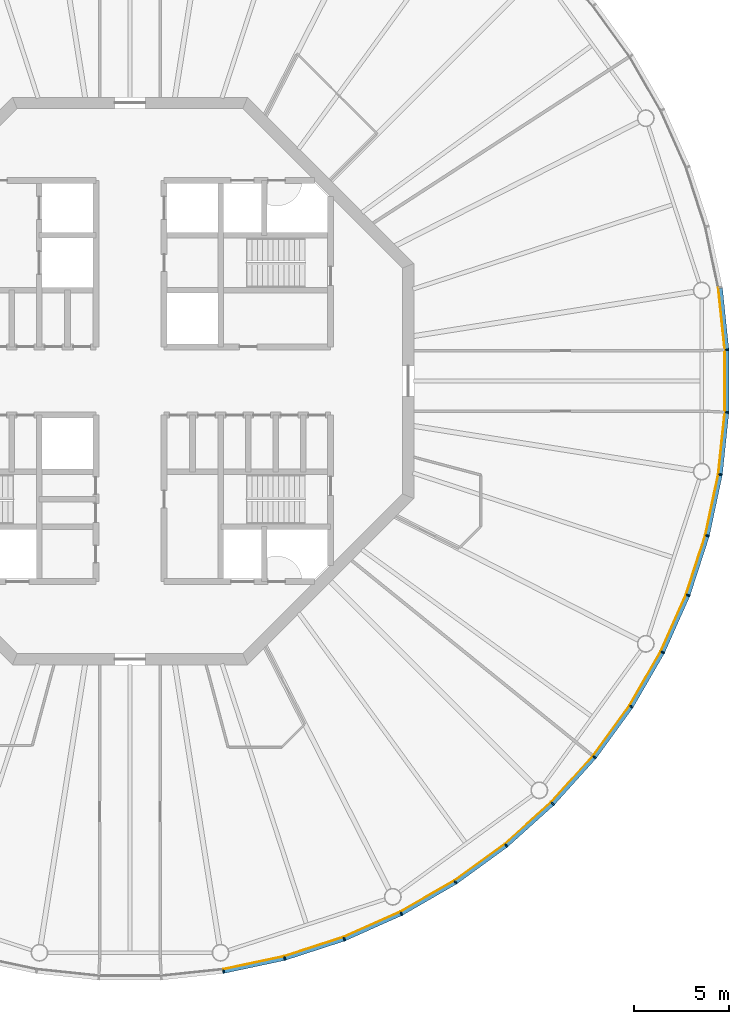
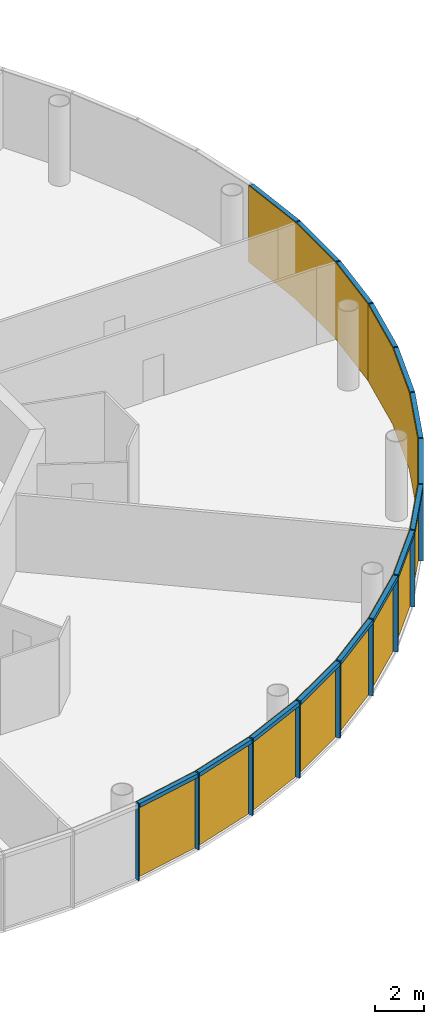
# One storey, part 9 of 13: 30 members, 5 curtain walls.
"""IFC4 building model written with IfcOpenShell, lengths in metres."""

from ifc_helpers import new_model, si_unit, direction, frame, origin, origin_2d, place, context, subcontext, project, spatial, polyline, rectangle, outline, extrude, material, layer, layer_set, material_profile, profile_set, type_object, element, aggregate, save


model = new_model("IFC4")

# Units and contexts
model_context = context("Model", 3, precision=1e-05, world=origin(), true_north=direction((0.0, 1.0)))
body_context = subcontext(model_context, "Body", "Model", "MODEL_VIEW")
ifc_project = project(units=[si_unit("LENGTHUNIT", "METRE"), si_unit("AREAUNIT", "SQUARE_METRE"), si_unit("VOLUMEUNIT", "CUBIC_METRE"), si_unit("PLANEANGLEUNIT", "RADIAN"), si_unit("MASSUNIT", "GRAM", prefix="KILO")], contexts=[model_context])

# Member
ifc_material_1 = material(Name="Anodised aluminium", Category="aluminium")
ifc_material_profile_1 = material_profile(ifc_material_1, rectangle(XDim=0.070068359375, YDim=0.205078125, at=origin_2d()), Name="Mullion 70 x 205 mm anodised aluminium")
ifc_profile_set_1 = profile_set([ifc_material_profile_1], Name="Anodised aluminium")
member_type_1 = type_object("IfcMemberType", Name="Mullion 70 x 205 mm anodised aluminium", PredefinedType="MULLION", material=ifc_profile_set_1)
site_placement = place(None, origin())
building_placement = place(site_placement, origin())
storey_placement = place(building_placement, frame((0.0, 0.0, 360.0)))
member_1_placement = place(storey_placement, frame((94.943603515625, 48.78662109375, 0.0), z_axis=(0.0, 0.0, 1.0), x_axis=(0.987688340595, 0.15643446504, 0.0)))
member_1 = element("IfcMember", 1, at=member_1_placement, type_object=member_type_1, Name="MULLION L83-45", PredefinedType="MULLION", context=body_context, shape_type="SweptSolid", body=[
    extrude(rectangle(XDim=0.070068359375, YDim=0.205078125, at=origin_2d()), origin(), (0.0, 0.0, 1.0), 3.85009765625),
])

member_2_placement = place(storey_placement, frame((98.179443359375, 49.474365234375, 0.0), z_axis=(0.0, 0.0, 1.0), x_axis=(0.965925826289, 0.258819045103, 0.0)))
member_2 = element("IfcMember", 2, at=member_2_placement, type_object=member_type_1, Name="MULLION L83-46", PredefinedType="MULLION", context=body_context, shape_type="SweptSolid", body=[
    extrude(rectangle(XDim=0.070068359375, YDim=0.205078125, at=origin_2d()), origin(), (0.0, 0.0, 1.0), 3.85009765625),
])

member_3_placement = place(storey_placement, frame((101.325439453125, 50.49658203125, 0.0), z_axis=(0.0, 0.0, 1.0), x_axis=(0.933580426497, 0.358367949545, 0.0)))
member_3 = element("IfcMember", 3, at=member_3_placement, type_object=member_type_1, Name="MULLION L83-47", PredefinedType="MULLION", context=body_context, shape_type="SweptSolid", body=[
    extrude(rectangle(XDim=0.070068359375, YDim=0.205078125, at=origin_2d()), origin(), (0.0, 0.0, 1.0), 3.85009765625),
])

member_4_placement = place(storey_placement, frame((104.34716796875, 51.842041015625, 0.0), z_axis=(0.0, 0.0, 1.0), x_axis=(0.891006524188, 0.45399049974, 0.0)))
member_4 = element("IfcMember", 4, at=member_4_placement, type_object=member_type_1, Name="MULLION L83-48", PredefinedType="MULLION", context=body_context, shape_type="SweptSolid", body=[
    extrude(rectangle(XDim=0.070068359375, YDim=0.205078125, at=origin_2d()), origin(), (0.0, 0.0, 1.0), 3.85009765625),
])

member_5_placement = place(storey_placement, frame((107.2119140625, 53.495849609375, 0.0), z_axis=(0.0, 0.0, 1.0), x_axis=(0.838670567945, 0.544639035015, 0.0)))
member_5 = element("IfcMember", 5, at=member_5_placement, type_object=member_type_1, Name="MULLION L83-49", PredefinedType="MULLION", context=body_context, shape_type="SweptSolid", body=[
    extrude(rectangle(XDim=0.070068359375, YDim=0.205078125, at=origin_2d()), origin(), (0.0, 0.0, 1.0), 3.85009765625),
])

member_6_placement = place(storey_placement, frame((109.88818359375, 55.440185546875, 0.0), z_axis=(0.0, 0.0, 1.0), x_axis=(0.777145961457, 0.62932039105, 0.0)))
member_6 = element("IfcMember", 6, at=member_6_placement, type_object=member_type_1, Name="MULLION L83-50", PredefinedType="MULLION", context=body_context, shape_type="SweptSolid", body=[
    extrude(rectangle(XDim=0.070068359375, YDim=0.205078125, at=origin_2d()), origin(), (0.0, 0.0, 1.0), 3.85009765625),
])

member_7_placement = place(storey_placement, frame((112.346435546875, 57.653564453125, 0.0), z_axis=(0.0, 0.0, 1.0), x_axis=(0.707106781187, 0.707106781187, 0.0)))
member_7 = element("IfcMember", 7, at=member_7_placement, type_object=member_type_1, Name="MULLION L83-51", PredefinedType="MULLION", context=body_context, shape_type="SweptSolid", body=[
    extrude(rectangle(XDim=0.070068359375, YDim=0.205078125, at=origin_2d()), origin(), (0.0, 0.0, 1.0), 3.85009765625),
])

member_8_placement = place(storey_placement, frame((114.559814453125, 60.11181640625, 0.0), z_axis=(0.0, 0.0, 1.0), x_axis=(0.62932039105, 0.777145961457, 0.0)))
member_8 = element("IfcMember", 8, at=member_8_placement, type_object=member_type_1, Name="MULLION L83-52", PredefinedType="MULLION", context=body_context, shape_type="SweptSolid", body=[
    extrude(rectangle(XDim=0.070068359375, YDim=0.205078125, at=origin_2d()), origin(), (0.0, 0.0, 1.0), 3.85009765625),
])

member_9_placement = place(storey_placement, frame((116.504150390625, 62.7880859375, 0.0), z_axis=(0.0, 0.0, 1.0), x_axis=(0.544639035015, 0.838670567945, 0.0)))
member_9 = element("IfcMember", 9, at=member_9_placement, type_object=member_type_1, Name="MULLION L83-53", PredefinedType="MULLION", context=body_context, shape_type="SweptSolid", body=[
    extrude(rectangle(XDim=0.070068359375, YDim=0.205078125, at=origin_2d()), origin(), (0.0, 0.0, 1.0), 3.85009765625),
])

member_10_placement = place(storey_placement, frame((118.157958984375, 65.65283203125, 0.0), z_axis=(0.0, 0.0, 1.0), x_axis=(0.45399049974, 0.891006524188, 0.0)))
member_10 = element("IfcMember", 10, at=member_10_placement, type_object=member_type_1, Name="MULLION L83-54", PredefinedType="MULLION", context=body_context, shape_type="SweptSolid", body=[
    extrude(rectangle(XDim=0.070068359375, YDim=0.205078125, at=origin_2d()), origin(), (0.0, 0.0, 1.0), 3.85009765625),
])

member_11_placement = place(storey_placement, frame((119.50341796875, 68.674560546875, 0.0), z_axis=(0.0, 0.0, 1.0), x_axis=(0.358367949545, 0.933580426497, 0.0)))
member_11 = element("IfcMember", 11, at=member_11_placement, type_object=member_type_1, Name="MULLION L83-55", PredefinedType="MULLION", context=body_context, shape_type="SweptSolid", body=[
    extrude(rectangle(XDim=0.070068359375, YDim=0.205078125, at=origin_2d()), origin(), (0.0, 0.0, 1.0), 3.85009765625),
])

member_12_placement = place(storey_placement, frame((120.525634765625, 71.820556640625, 0.0), z_axis=(0.0, 0.0, 1.0), x_axis=(0.258819045103, 0.965925826289, 0.0)))
member_12 = element("IfcMember", 12, at=member_12_placement, type_object=member_type_1, Name="MULLION L83-56", PredefinedType="MULLION", context=body_context, shape_type="SweptSolid", body=[
    extrude(rectangle(XDim=0.070068359375, YDim=0.205078125, at=origin_2d()), origin(), (0.0, 0.0, 1.0), 3.85009765625),
])

member_13_placement = place(storey_placement, frame((121.21337890625, 75.056396484375, 0.0), z_axis=(0.0, 0.0, 1.0), x_axis=(0.15643446504, 0.987688340595, 0.0)))
member_13 = element("IfcMember", 13, at=member_13_placement, type_object=member_type_1, Name="MULLION L83-57", PredefinedType="MULLION", context=body_context, shape_type="SweptSolid", body=[
    extrude(rectangle(XDim=0.070068359375, YDim=0.205078125, at=origin_2d()), origin(), (0.0, 0.0, 1.0), 3.85009765625),
])

member_14_placement = place(storey_placement, frame((121.55908203125, 78.345947265625, 0.0), z_axis=(0.0, 0.0, 1.0), x_axis=(0.052335956243, 0.998629534755, 0.0)))
member_14 = element("IfcMember", 14, at=member_14_placement, type_object=member_type_1, Name="MULLION L83-58", PredefinedType="MULLION", context=body_context, shape_type="SweptSolid", body=[
    extrude(rectangle(XDim=0.070068359375, YDim=0.205078125, at=origin_2d()), origin(), (0.0, 0.0, 1.0), 3.85009765625),
])

member_15_placement = place(storey_placement, frame((121.55908203125, 81.654052734375, 0.0), z_axis=(0.0, 0.0, 1.0), x_axis=(-0.052335956243, 0.998629534755, 0.0)))
member_15 = element("IfcMember", 15, at=member_15_placement, type_object=member_type_1, Name="MULLION L83-59", PredefinedType="MULLION", context=body_context, shape_type="SweptSolid", body=[
    extrude(rectangle(XDim=0.070068359375, YDim=0.205078125, at=origin_2d()), origin(), (0.0, 0.0, 1.0), 3.85009765625),
])

ifc_material_2 = material(Name="Anodised aluminium", Category="aluminium")
ifc_material_profile_2 = material_profile(ifc_material_2, rectangle(XDim=0.205078125, YDim=0.195068359375, at=origin_2d()), Name="Transom 195 x 205 mm anodised aluminium")
ifc_profile_set_2 = profile_set([ifc_material_profile_2], Name="Anodised aluminium")
member_type_2 = type_object("IfcMemberType", Name="Transom 195 x 205 mm anodised aluminium", PredefinedType="USERDEFINED", material=ifc_profile_set_2)
member_16_placement = place(storey_placement, frame((94.983154296875, 48.794921875, 3.75244140625), z_axis=(0.978153082647, 0.207885898771, 0.0), x_axis=(-0.207885898771, 0.978153082647, 0.0)))
member_16 = element("IfcMember", 16, at=member_16_placement, type_object=member_type_2, Name="TRANSOM L83-45", ObjectType="TRANSOM", PredefinedType="USERDEFINED", context=body_context, shape_type="SweptSolid", body=[
    extrude(rectangle(XDim=0.205078125, YDim=0.195068359375, at=origin_2d()), origin(), (0.0, 0.0, 1.0), 3.227294921875),
])

member_17_placement = place(storey_placement, frame((98.2177734375, 49.486572265625, 3.75244140625), z_axis=(0.951046855117, 0.309046726844, 0.0), x_axis=(-0.309046726844, 0.951046855117, 0.0)))
member_17 = element("IfcMember", 17, at=member_17_placement, type_object=member_type_2, Name="TRANSOM L83-46", ObjectType="TRANSOM", PredefinedType="USERDEFINED", context=body_context, shape_type="SweptSolid", body=[
    extrude(rectangle(XDim=0.205078125, YDim=0.195068359375, at=origin_2d()), origin(), (0.0, 0.0, 1.0), 3.22705078125),
])

member_18_placement = place(storey_placement, frame((101.3623046875, 50.5126953125, 3.75244140625), z_axis=(0.913521178731, 0.406791170024, 0.0), x_axis=(-0.406791170024, 0.913521178731, 0.0)))
member_18 = element("IfcMember", 18, at=member_18_placement, type_object=member_type_2, Name="TRANSOM L83-47", ObjectType="TRANSOM", PredefinedType="USERDEFINED", context=body_context, shape_type="SweptSolid", body=[
    extrude(rectangle(XDim=0.205078125, YDim=0.195068359375, at=origin_2d()), origin(), (0.0, 0.0, 1.0), 3.22705078125),
])

member_19_placement = place(storey_placement, frame((104.38232421875, 51.862060546875, 3.75244140625), z_axis=(0.866023062494, 0.500004055213, 0.0), x_axis=(-0.500004055213, 0.866023062494, 0.0)))
member_19 = element("IfcMember", 19, at=member_19_placement, type_object=member_type_2, Name="TRANSOM L83-48", ObjectType="TRANSOM", PredefinedType="USERDEFINED", context=body_context, shape_type="SweptSolid", body=[
    extrude(rectangle(XDim=0.205078125, YDim=0.195068359375, at=origin_2d()), origin(), (0.0, 0.0, 1.0), 3.22705078125),
])

member_20_placement = place(storey_placement, frame((107.24462890625, 53.51953125, 3.75244140625), z_axis=(0.809004252048, 0.587802790201, 0.0), x_axis=(-0.587802790201, 0.809004252048, 0.0)))
member_20 = element("IfcMember", 20, at=member_20_placement, type_object=member_type_2, Name="TRANSOM L83-49", ObjectType="TRANSOM", PredefinedType="USERDEFINED", context=body_context, shape_type="SweptSolid", body=[
    extrude(rectangle(XDim=0.205078125, YDim=0.195068359375, at=origin_2d()), origin(), (0.0, 0.0, 1.0), 3.227294921875),
])

member_21_placement = place(storey_placement, frame((109.918212890625, 55.467041015625, 3.75244140625), z_axis=(0.743132370743, 0.669144438484, 0.0), x_axis=(-0.669144438484, 0.743132370743, 0.0)))
member_21 = element("IfcMember", 21, at=member_21_placement, type_object=member_type_2, Name="TRANSOM L83-50", ObjectType="TRANSOM", PredefinedType="USERDEFINED", context=body_context, shape_type="SweptSolid", body=[
    extrude(rectangle(XDim=0.205078125, YDim=0.195068359375, at=origin_2d()), origin(), (0.0, 0.0, 1.0), 3.22705078125),
])

member_22_placement = place(storey_placement, frame((112.37353515625, 57.68359375, 3.75244140625), z_axis=(0.669144438484, 0.743132370743, 0.0), x_axis=(-0.743132370743, 0.669144438484, 0.0)))
member_22 = element("IfcMember", 22, at=member_22_placement, type_object=member_type_2, Name="TRANSOM L83-51", ObjectType="TRANSOM", PredefinedType="USERDEFINED", context=body_context, shape_type="SweptSolid", body=[
    extrude(rectangle(XDim=0.205078125, YDim=0.195068359375, at=origin_2d()), origin(), (0.0, 0.0, 1.0), 3.22705078125),
])

member_23_placement = place(storey_placement, frame((114.58349609375, 60.14453125, 3.75244140625), z_axis=(0.587802790201, 0.809004252048, 0.0), x_axis=(-0.809004252048, 0.587802790201, 0.0)))
member_23 = element("IfcMember", 23, at=member_23_placement, type_object=member_type_2, Name="TRANSOM L83-52", ObjectType="TRANSOM", PredefinedType="USERDEFINED", context=body_context, shape_type="SweptSolid", body=[
    extrude(rectangle(XDim=0.205078125, YDim=0.195068359375, at=origin_2d()), origin(), (0.0, 0.0, 1.0), 3.227294921875),
])

member_24_placement = place(storey_placement, frame((116.5244140625, 62.822998046875, 3.75244140625), z_axis=(0.500004055213, 0.866023062494, 0.0), x_axis=(-0.866023062494, 0.500004055213, 0.0)))
member_24 = element("IfcMember", 24, at=member_24_placement, type_object=member_type_2, Name="TRANSOM L83-53", ObjectType="TRANSOM", PredefinedType="USERDEFINED", context=body_context, shape_type="SweptSolid", body=[
    extrude(rectangle(XDim=0.205078125, YDim=0.195068359375, at=origin_2d()), origin(), (0.0, 0.0, 1.0), 3.22705078125),
])

member_25_placement = place(storey_placement, frame((118.174560546875, 65.689697265625, 3.75244140625), z_axis=(0.406791170024, 0.913521178731, 0.0), x_axis=(-0.913521178731, 0.406791170024, 0.0)))
member_25 = element("IfcMember", 25, at=member_25_placement, type_object=member_type_2, Name="TRANSOM L83-54", ObjectType="TRANSOM", PredefinedType="USERDEFINED", context=body_context, shape_type="SweptSolid", body=[
    extrude(rectangle(XDim=0.205078125, YDim=0.195068359375, at=origin_2d()), origin(), (0.0, 0.0, 1.0), 3.22705078125),
])

member_26_placement = place(storey_placement, frame((119.51611328125, 68.713134765625, 3.75244140625), z_axis=(0.309046726844, 0.951046855117, 0.0), x_axis=(-0.951046855117, 0.309046726844, 0.0)))
member_26 = element("IfcMember", 26, at=member_26_placement, type_object=member_type_2, Name="TRANSOM L83-55", ObjectType="TRANSOM", PredefinedType="USERDEFINED", context=body_context, shape_type="SweptSolid", body=[
    extrude(rectangle(XDim=0.205078125, YDim=0.195068359375, at=origin_2d()), origin(), (0.0, 0.0, 1.0), 3.22705078125),
])

member_27_placement = place(storey_placement, frame((120.5341796875, 71.860107421875, 3.75244140625), z_axis=(0.207885898771, 0.978153082647, 0.0), x_axis=(-0.978153082647, 0.207885898771, 0.0)))
member_27 = element("IfcMember", 27, at=member_27_placement, type_object=member_type_2, Name="TRANSOM L83-56", ObjectType="TRANSOM", PredefinedType="USERDEFINED", context=body_context, shape_type="SweptSolid", body=[
    extrude(rectangle(XDim=0.205078125, YDim=0.195068359375, at=origin_2d()), origin(), (0.0, 0.0, 1.0), 3.227294921875),
])

member_28_placement = place(storey_placement, frame((121.2177734375, 75.096435546875, 3.75244140625), z_axis=(0.104550890115, 0.994519537956, 0.0), x_axis=(-0.994519537956, 0.104550890115, 0.0)))
member_28 = element("IfcMember", 28, at=member_28_placement, type_object=member_type_2, Name="TRANSOM L83-57", ObjectType="TRANSOM", PredefinedType="USERDEFINED", context=body_context, shape_type="SweptSolid", body=[
    extrude(rectangle(XDim=0.205078125, YDim=0.195068359375, at=origin_2d()), origin(), (0.0, 0.0, 1.0), 3.22705078125),
])

member_29_placement = place(storey_placement, frame((121.559326171875, 78.386474609375, 3.75244140625), z_axis=(0.0, 1.0, 0.0), x_axis=(-1.0, 0.0, 0.0)))
member_29 = element("IfcMember", 29, at=member_29_placement, type_object=member_type_2, Name="TRANSOM L83-58", ObjectType="TRANSOM", PredefinedType="USERDEFINED", context=body_context, shape_type="SweptSolid", body=[
    extrude(rectangle(XDim=0.205078125, YDim=0.195068359375, at=origin_2d()), origin(), (0.0, 0.0, 1.0), 3.22705078125),
])

member_30_placement = place(storey_placement, frame((121.55517578125, 81.694091796875, 3.75244140625), z_axis=(-0.104550890115, 0.994519537956, 0.0), x_axis=(-0.994519537956, -0.104550890115, 0.0)))
member_30 = element("IfcMember", 30, at=member_30_placement, type_object=member_type_2, Name="TRANSOM L83-59", ObjectType="TRANSOM", PredefinedType="USERDEFINED", context=body_context, shape_type="SweptSolid", body=[
    extrude(rectangle(XDim=0.205078125, YDim=0.195068359375, at=origin_2d()), origin(), (0.0, 0.0, 1.0), 3.22705078125),
])

# Site, building, storey
site = spatial("IfcSite", under=ifc_project, at=site_placement, CompositionType="ELEMENT")
building = spatial("IfcBuilding", under=site, at=building_placement, Name="Entoto Ring Tower", CompositionType="ELEMENT")
storey = spatial("IfcBuildingStorey", under=building, at=storey_placement, Name="L83", CompositionType="ELEMENT", Elevation=360.0)

# Curtain wall
ifc_material_3 = material(Name="Clear low-iron glass", Category="glass")
ifc_layer = layer(ifc_material_3, 0.035888671875)
ifc_layer_set = layer_set([ifc_layer], Name="Clear low-iron glass")
curtain_wall_type = type_object("IfcCurtainWallType", Name="Curtain wall system CW6 glazing 36 mm", PredefinedType="NOTDEFINED", material=ifc_layer_set)
curtain_wall_1_placement = place(storey_placement, origin())
curtain_wall_1 = element("IfcCurtainWall", 31, at=curtain_wall_1_placement, inside=storey, type_object=curtain_wall_type, Name="CW6 L83-16", PredefinedType="NOTDEFINED", context=body_context, shape_type="SweptSolid", body=[
    extrude(outline(polyline([(94.927734375, 48.8876953125), (98.15283203125, 49.5732421875), (101.28857421875, 50.59228515625), (104.30078125, 51.933349609375), (104.284423828125, 51.96533203125), (101.275634765625, 50.6259765625), (98.1435546875, 49.608154296875), (94.922119140625, 48.92333984375), (94.927734375, 48.8876953125)])), origin(), (0.0, 0.0, 1.0), 3.85009765625),
])

aggregate(curtain_wall_1, [member_1, member_2, member_3, member_16, member_17, member_18])

curtain_wall_2_placement = place(storey_placement, origin())
curtain_wall_2 = element("IfcCurtainWall", 32, at=curtain_wall_2_placement, inside=storey, type_object=curtain_wall_type, Name="CW6 L83-17", PredefinedType="NOTDEFINED", context=body_context, shape_type="SweptSolid", body=[
    extrude(outline(polyline([(104.30078125, 51.933349609375), (107.15625, 53.581787109375), (109.823486328125, 55.52001953125), (112.27392578125, 57.72607421875), (112.248291015625, 57.751708984375), (109.801025390625, 55.5478515625), (107.136474609375, 53.612060546875), (104.284423828125, 51.96533203125), (104.30078125, 51.933349609375)])), origin(), (0.0, 0.0, 1.0), 3.85009765625),
])

aggregate(curtain_wall_2, [member_4, member_5, member_6, member_19, member_20, member_21])

curtain_wall_3_placement = place(storey_placement, origin())
curtain_wall_3 = element("IfcCurtainWall", 33, at=curtain_wall_3_placement, inside=storey, type_object=curtain_wall_type, Name="CW6 L83-18", PredefinedType="NOTDEFINED", context=body_context, shape_type="SweptSolid", body=[
    extrude(outline(polyline([(112.27392578125, 57.72607421875), (114.47998046875, 60.176513671875), (116.418212890625, 62.84375), (118.066650390625, 65.69921875), (118.03466796875, 65.715576171875), (116.387939453125, 62.863525390625), (114.4521484375, 60.198974609375), (112.248291015625, 57.751708984375), (112.27392578125, 57.72607421875)])), origin(), (0.0, 0.0, 1.0), 3.85009765625),
])

aggregate(curtain_wall_3, [member_7, member_8, member_9, member_22, member_23, member_24])

curtain_wall_4_placement = place(storey_placement, origin())
curtain_wall_4 = element("IfcCurtainWall", 34, at=curtain_wall_4_placement, inside=storey, type_object=curtain_wall_type, Name="CW6 L83-19", PredefinedType="NOTDEFINED", context=body_context, shape_type="SweptSolid", body=[
    extrude(outline(polyline([(118.066650390625, 65.69921875), (119.40771484375, 68.71142578125), (120.4267578125, 71.84716796875), (121.1123046875, 75.072265625), (121.07666015625, 75.077880859375), (120.391845703125, 71.8564453125), (119.3740234375, 68.724365234375), (118.03466796875, 65.715576171875), (118.066650390625, 65.69921875)])), origin(), (0.0, 0.0, 1.0), 3.85009765625),
])

aggregate(curtain_wall_4, [member_10, member_11, member_12, member_25, member_26, member_27])

curtain_wall_5_placement = place(storey_placement, origin())
curtain_wall_5 = element("IfcCurtainWall", 35, at=curtain_wall_5_placement, inside=storey, type_object=curtain_wall_type, Name="CW6 L83-20", PredefinedType="NOTDEFINED", context=body_context, shape_type="SweptSolid", body=[
    extrude(outline(polyline([(121.1123046875, 75.072265625), (121.456787109375, 78.351318359375), (121.456787109375, 81.648681640625), (121.1123046875, 84.927734375), (121.07666015625, 84.922119140625), (121.4208984375, 81.646728515625), (121.4208984375, 78.353271484375), (121.07666015625, 75.077880859375), (121.1123046875, 75.072265625)])), origin(), (0.0, 0.0, 1.0), 3.85009765625),
])

aggregate(curtain_wall_5, [member_13, member_14, member_15, member_28, member_29, member_30])

save(model, "model.ifc")
